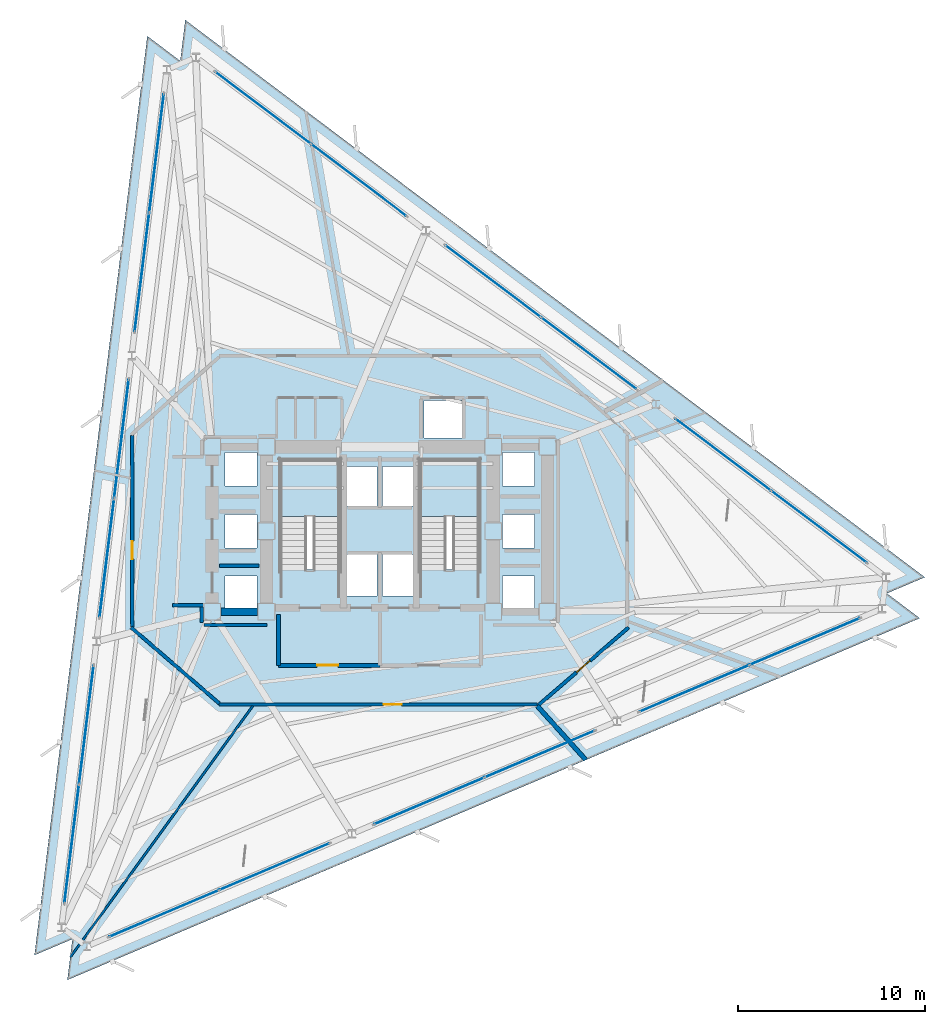
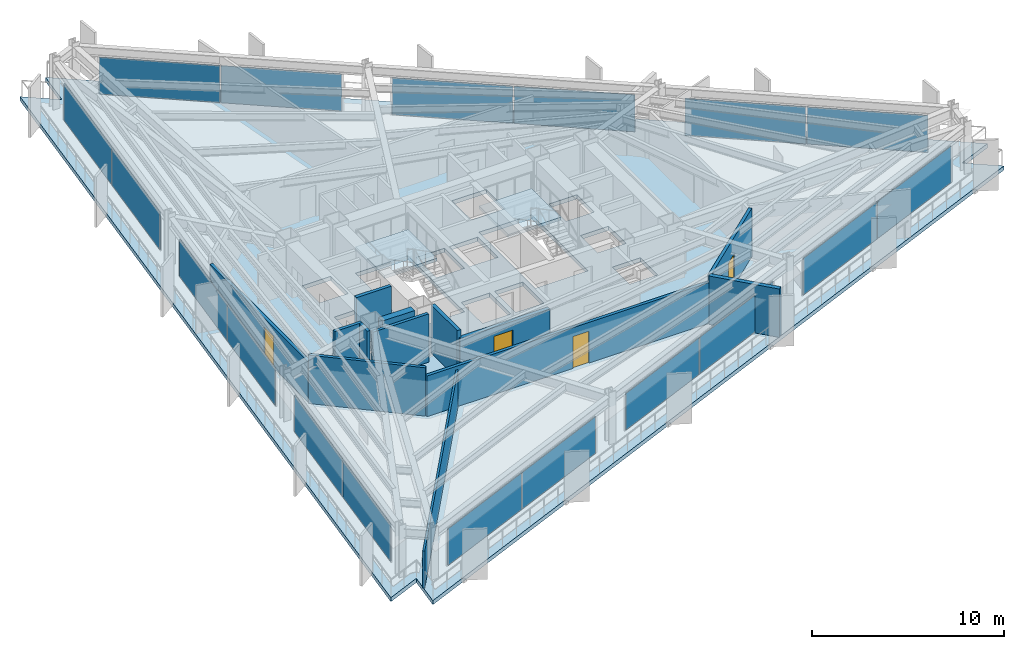
# One storey, part 6 of 13: 18 plates, 13 walls, 4 doors, 3 slabs, 4 openings, 11 elements without a shape of their own.
"""IFC4 building model written with IfcOpenShell, lengths in metres."""

from ifc_helpers import new_model, si_unit, direction, frame, frame_2d, origin, origin_2d, place, context, subcontext, project, spatial, polyline, rectangle, outline, extrude, material, layer, layer_set, type_object, element, fill, aggregate, save


model = new_model("IFC4")

# Units and contexts
model_context = context("Model", 3, precision=1e-05, world=origin(), true_north=direction((0.0, 1.0)))
body_context = subcontext(model_context, "Body", "Model", "MODEL_VIEW")
ifc_project = project(units=[si_unit("LENGTHUNIT", "METRE"), si_unit("AREAUNIT", "SQUARE_METRE"), si_unit("VOLUMEUNIT", "CUBIC_METRE"), si_unit("PLANEANGLEUNIT", "RADIAN"), si_unit("MASSUNIT", "GRAM", prefix="KILO")], contexts=[model_context])

# Site, building, storey
site_placement = place(None, origin())
site = spatial("IfcSite", under=ifc_project, at=site_placement, CompositionType="ELEMENT")
building_placement = place(site_placement, origin())
building = spatial("IfcBuilding", under=site, at=building_placement, Name="Rocaltana Carrier Exchange", CompositionType="ELEMENT")
storey_placement = place(building_placement, frame((0.0, 0.0, 69.760009765625)))
storey = spatial("IfcBuildingStorey", under=building, at=storey_placement, Name="L21", CompositionType="ELEMENT", Elevation=69.760009765625)

# Curtain wall, plates
ifc_material_1 = material(Name="Aluminium 6063-T6", Category="aluminium")
ifc_layer_1 = layer(ifc_material_1, 0.1650390625)
ifc_layer_set_1 = layer_set([ifc_layer_1], Name="Aluminium 6063-T6")
curtain_wall_type = type_object("IfcCurtainWallType", Name="Lower-Mid Stepped Curtain Wall CW-02", PredefinedType="NOTDEFINED", material=ifc_layer_set_1)
curtain_wall_1_placement = place(storey_placement, origin())
curtain_wall_1 = element("IfcCurtainWall", 1, at=curtain_wall_1_placement, inside=storey, type_object=curtain_wall_type, Name="L21 CW-02 Run CW-L21-F1S1", PredefinedType="NOTDEFINED")
ifc_material_2 = material(Name="Tempered Laminated Glass", Category="glass")
ifc_layer_2 = layer(ifc_material_2, 0.0419921875)
ifc_layer_set_2 = layer_set([ifc_layer_2], Name="Tempered Laminated Glass")
plate_type = type_object("IfcPlateType", Name="CW-02 Stone-Insulated Vision Panel", PredefinedType="CURTAIN_PANEL", material=ifc_layer_set_2)
plate_1_placement = place(storey_placement, frame((23.422607421875, 0.231201171875, 0.06494140625), z_axis=(0.0, 0.0, 1.0), x_axis=(-0.798641886792, 0.601806560833, 0.0)))
plate_1 = element("IfcPlate", 2, at=plate_1_placement, type_object=plate_type, Name="CW-02 panel 1.1", PredefinedType="CURTAIN_PANEL", context=body_context, shape_type="SweptSolid", body=[
    extrude(rectangle(XDim=6.335693359375, YDim=0.0419921875, at=origin_2d()), origin(), (0.0, 0.0, 1.0), 2.347900390625),
])
plate_2_placement = place(storey_placement, frame((18.310791015625, 4.083251953125, 0.06494140625), z_axis=(0.0, 0.0, 1.0), x_axis=(-0.798641886792, 0.601806560833, 0.0)))
plate_2 = element("IfcPlate", 3, at=plate_2_placement, type_object=plate_type, Name="CW-02 panel 2.1", PredefinedType="CURTAIN_PANEL", context=body_context, shape_type="SweptSolid", body=[
    extrude(rectangle(XDim=6.335693359375, YDim=0.0419921875, at=origin_2d()), origin(), (0.0, 0.0, 1.0), 2.347900390625),
])
aggregate(curtain_wall_1, [plate_1, plate_2])

curtain_wall_2_placement = place(storey_placement, origin())
curtain_wall_2 = element("IfcCurtainWall", 4, at=curtain_wall_2_placement, inside=storey, type_object=curtain_wall_type, Name="L21 CW-02 Run CW-L21-F1S2", PredefinedType="NOTDEFINED")
plate_3_placement = place(storey_placement, frame((11.150390625, 9.47900390625, 0.06494140625), z_axis=(0.0, 0.0, 1.0), x_axis=(-0.798635336443, 0.601815253533, 0.0)))
plate_3 = element("IfcPlate", 5, at=plate_3_placement, type_object=plate_type, Name="CW-02 panel 1.1", PredefinedType="CURTAIN_PANEL", context=body_context, shape_type="SweptSolid", body=[
    extrude(rectangle(XDim=6.335693359375, YDim=0.0419921875, at=origin_2d()), origin(), (0.0, 0.0, 1.0), 2.347900390625),
])
plate_4_placement = place(storey_placement, frame((6.038330078125, 13.3310546875, 0.06494140625), z_axis=(0.0, 0.0, 1.0), x_axis=(-0.798635336443, 0.601815253533, 0.0)))
plate_4 = element("IfcPlate", 6, at=plate_4_placement, type_object=plate_type, Name="CW-02 panel 2.1", PredefinedType="CURTAIN_PANEL", context=body_context, shape_type="SweptSolid", body=[
    extrude(rectangle(XDim=6.335693359375, YDim=0.0419921875, at=origin_2d()), origin(), (0.0, 0.0, 1.0), 2.347900390625),
])
aggregate(curtain_wall_2, [plate_3, plate_4])

curtain_wall_3_placement = place(storey_placement, origin())
curtain_wall_3 = element("IfcCurtainWall", 7, at=curtain_wall_3_placement, inside=storey, type_object=curtain_wall_type, Name="L21 CW-02 Run CW-L21-F1S3", PredefinedType="NOTDEFINED")
plate_5_placement = place(storey_placement, frame((-1.1220703125, 18.726806640625, 0.06494140625), z_axis=(0.0, 0.0, 1.0), x_axis=(-0.79863815132, 0.601811518049, 0.0)))
plate_5 = element("IfcPlate", 8, at=plate_5_placement, type_object=plate_type, Name="CW-02 panel 1.1", PredefinedType="CURTAIN_PANEL", context=body_context, shape_type="SweptSolid", body=[
    extrude(rectangle(XDim=6.3359375, YDim=0.0419921875, at=origin_2d()), origin(), (0.0, 0.0, 1.0), 2.347900390625),
])
plate_6_placement = place(storey_placement, frame((-6.23388671875, 22.5791015625, 0.06494140625), z_axis=(0.0, 0.0, 1.0), x_axis=(-0.79863815132, 0.601811518049, 0.0)))
plate_6 = element("IfcPlate", 9, at=plate_6_placement, type_object=plate_type, Name="CW-02 panel 2.1", PredefinedType="CURTAIN_PANEL", context=body_context, shape_type="SweptSolid", body=[
    extrude(rectangle(XDim=6.3359375, YDim=0.0419921875, at=origin_2d()), origin(), (0.0, 0.0, 1.0), 2.347900390625),
])
aggregate(curtain_wall_3, [plate_5, plate_6])

curtain_wall_4_placement = place(storey_placement, origin())
curtain_wall_4 = element("IfcCurtainWall", 10, at=curtain_wall_4_placement, inside=storey, type_object=curtain_wall_type, Name="L21 CW-02 Run CW-L21-F2S1", PredefinedType="NOTDEFINED")
plate_7_placement = place(storey_placement, frame((-11.91162109375, 20.169189453125, 0.06494140625), z_axis=(0.0, 0.0, 1.0), x_axis=(-0.121872630343, -0.992545748051, 0.0)))
plate_7 = element("IfcPlate", 11, at=plate_7_placement, type_object=plate_type, Name="CW-02 panel 1.1", PredefinedType="CURTAIN_PANEL", context=body_context, shape_type="SweptSolid", body=[
    extrude(rectangle(XDim=6.3359375, YDim=0.0419921875, at=origin_2d()), origin(), (0.0, 0.0, 1.0), 2.347900390625),
])
plate_8_placement = place(storey_placement, frame((-12.691650390625, 13.81591796875, 0.06494140625), z_axis=(0.0, 0.0, 1.0), x_axis=(-0.121872630343, -0.992545748051, 0.0)))
plate_8 = element("IfcPlate", 12, at=plate_8_placement, type_object=plate_type, Name="CW-02 panel 2.1", PredefinedType="CURTAIN_PANEL", context=body_context, shape_type="SweptSolid", body=[
    extrude(rectangle(XDim=6.3359375, YDim=0.0419921875, at=origin_2d()), origin(), (0.0, 0.0, 1.0), 2.347900390625),
])
aggregate(curtain_wall_4, [plate_7, plate_8])

curtain_wall_5_placement = place(storey_placement, origin())
curtain_wall_5 = element("IfcCurtainWall", 13, at=curtain_wall_5_placement, inside=storey, type_object=curtain_wall_type, Name="L21 CW-02 Run CW-L21-F2S2", PredefinedType="NOTDEFINED")
plate_9_placement = place(storey_placement, frame((-13.7841796875, 4.9169921875, 0.06494140625), z_axis=(0.0, 0.0, 1.0), x_axis=(-0.121873570472, -0.992545632614, 0.0)))
plate_9 = element("IfcPlate", 14, at=plate_9_placement, type_object=plate_type, Name="CW-02 panel 1.1", PredefinedType="CURTAIN_PANEL", context=body_context, shape_type="SweptSolid", body=[
    extrude(rectangle(XDim=6.335693359375, YDim=0.0419921875, at=origin_2d()), origin(), (0.0, 0.0, 1.0), 2.347900390625),
])
plate_10_placement = place(storey_placement, frame((-14.564208984375, -1.436279296875, 0.06494140625), z_axis=(0.0, 0.0, 1.0), x_axis=(-0.121873570472, -0.992545632614, 0.0)))
plate_10 = element("IfcPlate", 15, at=plate_10_placement, type_object=plate_type, Name="CW-02 panel 2.1", PredefinedType="CURTAIN_PANEL", context=body_context, shape_type="SweptSolid", body=[
    extrude(rectangle(XDim=6.335693359375, YDim=0.0419921875, at=origin_2d()), origin(), (0.0, 0.0, 1.0), 2.347900390625),
])
aggregate(curtain_wall_5, [plate_9, plate_10])

curtain_wall_6_placement = place(storey_placement, origin())
curtain_wall_6 = element("IfcCurtainWall", 16, at=curtain_wall_6_placement, inside=storey, type_object=curtain_wall_type, Name="L21 CW-02 Run CW-L21-F2S3", PredefinedType="NOTDEFINED")
plate_11_placement = place(storey_placement, frame((-15.656982421875, -10.335205078125, 0.06494140625), z_axis=(0.0, 0.0, 1.0), x_axis=(-0.121881227076, -0.992544692438, 0.0)))
plate_11 = element("IfcPlate", 17, at=plate_11_placement, type_object=plate_type, Name="CW-02 panel 1.1", PredefinedType="CURTAIN_PANEL", context=body_context, shape_type="SweptSolid", body=[
    extrude(rectangle(XDim=6.335693359375, YDim=0.0419921875, at=origin_2d()), origin(), (0.0, 0.0, 1.0), 2.347900390625),
])
plate_12_placement = place(storey_placement, frame((-16.43701171875, -16.688232421875, 0.06494140625), z_axis=(0.0, 0.0, 1.0), x_axis=(-0.121881227076, -0.992544692438, 0.0)))
plate_12 = element("IfcPlate", 18, at=plate_12_placement, type_object=plate_type, Name="CW-02 panel 2.1", PredefinedType="CURTAIN_PANEL", context=body_context, shape_type="SweptSolid", body=[
    extrude(rectangle(XDim=6.335693359375, YDim=0.0419921875, at=origin_2d()), origin(), (0.0, 0.0, 1.0), 2.347900390625),
])
aggregate(curtain_wall_6, [plate_11, plate_12])

curtain_wall_7_placement = place(storey_placement, origin())
curtain_wall_7 = element("IfcCurtainWall", 19, at=curtain_wall_7_placement, inside=storey, type_object=curtain_wall_type, Name="L21 CW-02 Run CW-L21-F3S1", PredefinedType="NOTDEFINED")
plate_13_placement = place(storey_placement, frame((-11.51123046875, -20.400146484375, 0.06494140625), z_axis=(0.0, 0.0, 1.0), x_axis=(0.920505895435, 0.390728673724, 0.0)))
plate_13 = element("IfcPlate", 20, at=plate_13_placement, type_object=plate_type, Name="CW-02 panel 1.1", PredefinedType="CURTAIN_PANEL", context=body_context, shape_type="SweptSolid", body=[
    extrude(rectangle(XDim=6.3359375, YDim=0.0419921875, at=origin_2d()), origin(), (0.0, 0.0, 1.0), 2.347900390625),
])
plate_14_placement = place(storey_placement, frame((-5.619140625, -17.899169921875, 0.06494140625), z_axis=(0.0, 0.0, 1.0), x_axis=(0.920505895435, 0.390728673724, 0.0)))
plate_14 = element("IfcPlate", 21, at=plate_14_placement, type_object=plate_type, Name="CW-02 panel 2.1", PredefinedType="CURTAIN_PANEL", context=body_context, shape_type="SweptSolid", body=[
    extrude(rectangle(XDim=6.3359375, YDim=0.0419921875, at=origin_2d()), origin(), (0.0, 0.0, 1.0), 2.347900390625),
])
aggregate(curtain_wall_7, [plate_13, plate_14])

curtain_wall_8_placement = place(storey_placement, origin())
curtain_wall_8 = element("IfcCurtainWall", 22, at=curtain_wall_8_placement, inside=storey, type_object=curtain_wall_type, Name="L21 CW-02 Run CW-L21-F3S2", PredefinedType="NOTDEFINED")
plate_15_placement = place(storey_placement, frame((2.634033203125, -14.39599609375, 0.06494140625), z_axis=(0.0, 0.0, 1.0), x_axis=(0.920505895435, 0.390728673724, 0.0)))
plate_15 = element("IfcPlate", 23, at=plate_15_placement, type_object=plate_type, Name="CW-02 panel 1.1", PredefinedType="CURTAIN_PANEL", context=body_context, shape_type="SweptSolid", body=[
    extrude(rectangle(XDim=6.3359375, YDim=0.0419921875, at=origin_2d()), origin(), (0.0, 0.0, 1.0), 2.347900390625),
])
plate_16_placement = place(storey_placement, frame((8.52587890625, -11.89501953125, 0.06494140625), z_axis=(0.0, 0.0, 1.0), x_axis=(0.920505895435, 0.390728673724, 0.0)))
plate_16 = element("IfcPlate", 24, at=plate_16_placement, type_object=plate_type, Name="CW-02 panel 2.1", PredefinedType="CURTAIN_PANEL", context=body_context, shape_type="SweptSolid", body=[
    extrude(rectangle(XDim=6.3359375, YDim=0.0419921875, at=origin_2d()), origin(), (0.0, 0.0, 1.0), 2.347900390625),
])
aggregate(curtain_wall_8, [plate_15, plate_16])

curtain_wall_9_placement = place(storey_placement, origin())
curtain_wall_9 = element("IfcCurtainWall", 25, at=curtain_wall_9_placement, inside=storey, type_object=curtain_wall_type, Name="L21 CW-02 Run CW-L21-F3S3", PredefinedType="NOTDEFINED")
plate_17_placement = place(storey_placement, frame((16.779052734375, -8.391845703125, 0.06494140625), z_axis=(0.0, 0.0, 1.0), x_axis=(0.920503100084, 0.390735259141, 0.0)))
plate_17 = element("IfcPlate", 26, at=plate_17_placement, type_object=plate_type, Name="CW-02 panel 1.1", PredefinedType="CURTAIN_PANEL", context=body_context, shape_type="SweptSolid", body=[
    extrude(rectangle(XDim=6.3359375, YDim=0.0419921875, at=origin_2d()), origin(), (0.0, 0.0, 1.0), 2.347900390625),
])
plate_18_placement = place(storey_placement, frame((22.671142578125, -5.890625, 0.06494140625), z_axis=(0.0, 0.0, 1.0), x_axis=(0.920503100084, 0.390735259141, 0.0)))
plate_18 = element("IfcPlate", 27, at=plate_18_placement, type_object=plate_type, Name="CW-02 panel 2.1", PredefinedType="CURTAIN_PANEL", context=body_context, shape_type="SweptSolid", body=[
    extrude(rectangle(XDim=6.3359375, YDim=0.0419921875, at=origin_2d()), origin(), (0.0, 0.0, 1.0), 2.347900390625),
])
aggregate(curtain_wall_9, [plate_17, plate_18])

# Slab
ifc_material_3 = material(Name="Concrete C60/75", Category="concrete")
ifc_layer_3 = layer(ifc_material_3, 0.260009765625)
ifc_layer_set_3 = layer_set([ifc_layer_3], Name="Concrete C60/75")
slab_type_1 = type_object("IfcSlabType", Name="Low-Zone Tower Slab 260", PredefinedType="FLOOR", material=ifc_layer_set_3)
slab_1_placement = place(storey_placement, frame((0.0, 0.0, -0.260009765625)))
element("IfcSlab", 28, at=slab_1_placement, inside=storey, type_object=slab_type_1, Name="L21 Structural Floor Slab", PredefinedType="FLOOR", context=body_context, shape_type="SweptSolid", body=[
    extrude(outline(polyline([(28.8046875, -4.64501953125), (27.0478515625, -3.321044921875), (29.072998046875, -2.46142578125), (-10.379638671875, 27.268310546875), (-10.647705078125, 25.084716796875), (-12.40478515625, 26.40869140625), (-18.425048828125, -22.623291015625), (-16.39990234375, -21.763671875), (-16.668212890625, -23.947265625), (28.8046875, -4.64501953125)]), holes=[polyline([(-5.300048828125, -2.06005859375), (-2.139892578125, -2.06005859375), (-2.139892578125, 3.800048828125), (-5.300048828125, 3.800048828125), (-5.300048828125, -2.06005859375)]), polyline([(2.139892578125, -2.06005859375), (5.300048828125, -2.06005859375), (5.300048828125, 3.800048828125), (2.139892578125, 3.800048828125), (2.139892578125, -2.06005859375)]), polyline([(-1.85009765625, -3.449951171875), (-0.14990234375, -3.449951171875), (-0.14990234375, -1.25), (-1.85009765625, -1.25), (-1.85009765625, -3.449951171875)]), polyline([(0.14990234375, -3.449951171875), (1.85009765625, -3.449951171875), (1.85009765625, -1.25), (0.14990234375, -1.25), (0.14990234375, -3.449951171875)]), polyline([(2.35009765625, 4.97998046875), (4.39990234375, 4.97998046875), (4.39990234375, 6.97998046875), (2.35009765625, 6.97998046875), (2.35009765625, 4.97998046875)]), polyline([(-1.85009765625, 1.35009765625), (-0.14990234375, 1.35009765625), (-0.14990234375, 3.449951171875), (-1.85009765625, 3.449951171875), (-1.85009765625, 1.35009765625)]), polyline([(0.14990234375, 1.35009765625), (1.85009765625, 1.35009765625), (1.85009765625, 3.449951171875), (0.14990234375, 3.449951171875), (0.14990234375, 1.35009765625)]), polyline([(-8.25, -4.199951171875), (-6.550048828125, -4.199951171875), (-6.550048828125, -2.39990234375), (-8.25, -2.39990234375), (-8.25, -4.199951171875)]), polyline([(-8.25, -0.89990234375), (-6.550048828125, -0.89990234375), (-6.550048828125, 0.89990234375), (-8.25, 0.89990234375), (-8.25, -0.89990234375)]), polyline([(-8.25, 2.39990234375), (-6.550048828125, 2.39990234375), (-6.550048828125, 4.199951171875), (-8.25, 4.199951171875), (-8.25, 2.39990234375)]), polyline([(6.550048828125, -4.199951171875), (8.25, -4.199951171875), (8.25, -2.39990234375), (6.550048828125, -2.39990234375), (6.550048828125, -4.199951171875)]), polyline([(6.550048828125, -0.89990234375), (8.25, -0.89990234375), (8.25, 0.89990234375), (6.550048828125, 0.89990234375), (6.550048828125, -0.89990234375)]), polyline([(6.550048828125, 2.39990234375), (8.25, 2.39990234375), (8.25, 4.199951171875), (6.550048828125, 4.199951171875), (6.550048828125, 2.39990234375)])]), origin(), (0.0, 0.0, 1.0), 0.260009765625),
])

# Stair, slab
ifc_material_4 = material(Name="Precast concrete C45/55", Category="concrete")
stair_type = type_object("IfcStairType", Name="Standard Dog-Leg Stair 160", PredefinedType="HALF_TURN_STAIR", material=ifc_material_4)
stair_1_placement = place(storey_placement, origin())
stair_1 = element("IfcStair", 29, at=stair_1_placement, inside=storey, type_object=stair_type, Name="L21 Core West Exit Stair ST-1", PredefinedType="HALF_TURN_STAIR")
ifc_material_5 = material(Name="Precast concrete C45/55", Category="concrete")
ifc_layer_4 = layer(ifc_material_5, 0.199951171875)
ifc_layer_set_4 = layer_set([ifc_layer_4], Name="Precast concrete C45/55")
slab_type_2 = type_object("IfcSlabType", Name="Precast Stair Half-Landing 200", PredefinedType="LANDING", material=ifc_layer_set_4)
slab_2_placement = place(storey_placement, frame((0.0, 0.0, 1.47998046875)))
slab_2 = element("IfcSlab", 30, at=slab_2_placement, type_object=slab_type_2, Name="ST-1 landing 1", PredefinedType="LANDING", context=body_context, shape_type="SweptSolid", body=[
    extrude(outline(polyline([(-2.139892578125, 0.780029296875), (-2.139892578125, 3.800048828125), (-5.300048828125, 3.800048828125), (-5.300048828125, 0.780029296875), (-2.139892578125, 0.780029296875)])), origin(), (0.0, 0.0, 1.0), 0.199951171875),
])
aggregate(stair_1, [slab_2])

stair_2_placement = place(storey_placement, origin())
stair_2 = element("IfcStair", 31, at=stair_2_placement, inside=storey, type_object=stair_type, Name="L21 Core East Exit Stair ST-2", PredefinedType="HALF_TURN_STAIR")
slab_3_placement = place(storey_placement, frame((0.0, 0.0, 1.47998046875)))
slab_3 = element("IfcSlab", 32, at=slab_3_placement, type_object=slab_type_2, Name="ST-2 landing 1", PredefinedType="LANDING", context=body_context, shape_type="SweptSolid", body=[
    extrude(outline(polyline([(5.300048828125, 0.780029296875), (5.300048828125, 3.800048828125), (2.139892578125, 3.800048828125), (2.139892578125, 0.780029296875), (5.300048828125, 0.780029296875)])), origin(), (0.0, 0.0, 1.0), 0.199951171875),
])
aggregate(stair_2, [slab_3])

# Wall
ifc_material_6 = material(Name="Concrete C50/60", Category="concrete")
ifc_layer_5 = layer(ifc_material_6, 0.39990234375)
ifc_layer_set_5 = layer_set([ifc_layer_5], Name="Concrete C50/60")
wall_type_1 = type_object("IfcWallType", Name="Core Internal Shear Wall 400", PredefinedType="SHEAR", material=ifc_layer_set_5)
wall_1_placement = place(storey_placement, frame((-8.47509765625, -4.300048828125, 0.0), z_axis=(0.0, 0.0, 1.0), x_axis=(1.0, 0.0, 0.0)))
element("IfcWall", 33, at=wall_1_placement, inside=storey, type_object=wall_type_1, Name="L21 Core Shear Wall CW-WWS", PredefinedType="SHEAR", context=body_context, shape_type="SweptSolid", body=[
    extrude(rectangle(XDim=1.9501953125, YDim=0.39990234375, at=frame_2d((0.97509765625, 0.0))), origin(), (0.0, 0.0, 1.0), 3.097900390625),
])

# Wall, opening, door
ifc_material_7 = material(Name="Gypsum & Steel Stud Partition", Category="steel")
ifc_layer_6 = layer(ifc_material_7, 0.179931640625)
ifc_layer_set_6 = layer_set([ifc_layer_6], Name="Gypsum & Steel Stud Partition")
wall_type_2 = type_object("IfcWallType", Name="Corridor Fire Partition 180 EI60", PredefinedType="PARTITIONING", material=ifc_layer_set_6)
wall_2_placement = place(storey_placement, frame((13.268310546875, -5.14111328125, 0.0), z_axis=(0.0, 0.0, 1.0), x_axis=(-0.757534501725, -0.65279512766, 0.0)))
wall_2 = element("IfcWall", 34, at=wall_2_placement, inside=storey, type_object=wall_type_2, Name="L21 Corridor Partition 4", PredefinedType="PARTITIONING", context=body_context, shape_type="SweptSolid", body=[
    extrude(rectangle(XDim=6.384521484375, YDim=0.179931640625, at=frame_2d((3.1923828125, 0.0))), origin(), (0.0, 0.0, 1.0), 3.072998046875),
])
opening_1_placement = place(wall_2_placement, frame((2.712158203125, 0.0, 0.0)))
opening_1 = element("IfcOpeningElement", 35, at=opening_1_placement, cuts=wall_2, Name="Opening D-RM098", PredefinedType="OPENING", context=body_context, shape_type="SweptSolid", body=[
    extrude(rectangle(XDim=0.9599609375, YDim=2.02001953125, at=frame_2d((0.47998046875, 1.010009765625))), frame((0.0, 0.099853515625, 0.0), z_axis=(0.0, -1.0, 0.0), x_axis=(1.0, 0.0, 0.0)), (0.0, 0.0, 1.0), 0.199951171875),
])
ifc_material_8 = material(Name="Engineered Hardwood Timber", Category="wood")
door_type_1 = type_object("IfcDoorType", Name="Workspace Single Door 960x2020", OperationType="NOTDEFINED", PredefinedType="DOOR", material=ifc_material_8)
door_1_placement = place(opening_1_placement, origin())
door_1 = element("IfcDoor", 36, at=door_1_placement, inside=storey, type_object=door_type_1, Name="L21 Cloud Architecture Office Entrance Door", OperationType="SINGLE_SWING_RIGHT", OverallHeight=2.02001953125, OverallWidth=0.9599609375, PredefinedType="DOOR", context=body_context, shape_type="SweptSolid", body=[
    extrude(rectangle(XDim=0.9599609375, YDim=2.02001953125, at=frame_2d((0.47998046875, 1.010009765625))), frame((0.0, 0.02490234375, 0.0), z_axis=(0.0, -1.0, 0.0), x_axis=(1.0, 0.0, 0.0)), (0.0, 0.0, 1.0), 0.050048828125),
])
fill(opening_1, door_1)

wall_3_placement = place(storey_placement, frame((8.409912109375, -9.25, 0.0), z_axis=(0.0, 0.0, 1.0), x_axis=(-1.0, 0.0, 0.0)))
wall_3 = element("IfcWall", 37, at=wall_3_placement, inside=storey, type_object=wall_type_2, Name="L21 Corridor Partition 5", PredefinedType="PARTITIONING", context=body_context, shape_type="SweptSolid", body=[
    extrude(rectangle(XDim=17.0, YDim=0.179931640625, at=frame_2d((8.5, 0.0))), origin(), (0.0, 0.0, 1.0), 2.5869140625),
])
opening_2_placement = place(wall_3_placement, frame((7.252197265625, 0.0, 0.0)))
opening_2 = element("IfcOpeningElement", 38, at=opening_2_placement, cuts=wall_3, Name="Opening D-RM098", PredefinedType="OPENING", context=body_context, shape_type="SweptSolid", body=[
    extrude(rectangle(XDim=0.9599609375, YDim=2.02001953125, at=frame_2d((0.47998046875, 1.010009765625))), frame((0.0, 0.099853515625, 0.0), z_axis=(0.0, -1.0, 0.0), x_axis=(1.0, 0.0, 0.0)), (0.0, 0.0, 1.0), 0.199951171875),
])
door_2_placement = place(opening_2_placement, origin())
door_2 = element("IfcDoor", 39, at=door_2_placement, inside=storey, type_object=door_type_1, Name="L21 Network Operations Office Entrance Door", OperationType="SINGLE_SWING_LEFT", OverallHeight=2.02001953125, OverallWidth=0.9599609375, PredefinedType="DOOR", context=body_context, shape_type="SweptSolid", body=[
    extrude(rectangle(XDim=0.9599609375, YDim=2.02001953125, at=frame_2d((0.47998046875, 1.010009765625))), frame((0.0, 0.02490234375, 0.0), z_axis=(0.0, -1.0, 0.0), x_axis=(1.0, 0.0, 0.0)), (0.0, 0.0, 1.0), 0.050048828125),
])
fill(opening_2, door_2)

# Wall
wall_4_placement = place(storey_placement, frame((-8.568115234375, -9.191162109375, 0.0), z_axis=(0.0, 0.0, 1.0), x_axis=(-0.757556899173, 0.652769135694, 0.0)))
element("IfcWall", 40, at=wall_4_placement, inside=storey, type_object=wall_type_2, Name="L21 Corridor Partition 6", PredefinedType="PARTITIONING", context=body_context, shape_type="SweptSolid", body=[
    extrude(rectangle(XDim=6.204345703125, YDim=0.179931640625, at=frame_2d((3.10205078125, 0.0))), origin(), (0.0, 0.0, 1.0), 3.072998046875),
])

# Wall, opening, door
wall_5_placement = place(storey_placement, frame((-13.199951171875, -5.110107421875, 0.0), z_axis=(0.0, 0.0, 1.0), x_axis=(0.0, 1.0, 0.0)))
wall_5 = element("IfcWall", 41, at=wall_5_placement, inside=storey, type_object=wall_type_2, Name="L21 Corridor Partition 7", PredefinedType="PARTITIONING", context=body_context, shape_type="SweptSolid", body=[
    extrude(rectangle(XDim=10.22021484375, YDim=0.179931640625, at=frame_2d((5.110107421875, 0.0))), origin(), (0.0, 0.0, 1.0), 2.5869140625),
])
opening_3_placement = place(wall_5_placement, frame((3.61572265625, 0.0, 0.0)))
opening_3 = element("IfcOpeningElement", 42, at=opening_3_placement, cuts=wall_5, Name="Opening D-RM098", PredefinedType="OPENING", context=body_context, shape_type="SweptSolid", body=[
    extrude(rectangle(XDim=0.9599609375, YDim=2.02001953125, at=frame_2d((0.47998046875, 1.010009765625))), frame((0.0, 0.099853515625, 0.0), z_axis=(0.0, -1.0, 0.0), x_axis=(1.0, 0.0, 0.0)), (0.0, 0.0, 1.0), 0.199951171875),
])
door_3_placement = place(opening_3_placement, origin())
door_3 = element("IfcDoor", 43, at=door_3_placement, inside=storey, type_object=door_type_1, Name="L21 Cloud Architecture Office Entrance Door", OperationType="SINGLE_SWING_RIGHT", OverallHeight=2.02001953125, OverallWidth=0.9599609375, PredefinedType="DOOR", context=body_context, shape_type="SweptSolid", body=[
    extrude(rectangle(XDim=0.9599609375, YDim=2.02001953125, at=frame_2d((0.47998046875, 1.010009765625))), frame((0.0, 0.02490234375, 0.0), z_axis=(0.0, -1.0, 0.0), x_axis=(1.0, 0.0, 0.0)), (0.0, 0.0, 1.0), 0.050048828125),
])
fill(opening_3, door_3)

# Walls
wall_6_placement = place(storey_placement, frame((-11.070068359375, -3.9599609375, 0.0), z_axis=(0.0, 0.0, 1.0), x_axis=(1.0, 0.0, 0.0)))
element("IfcWall", 44, at=wall_6_placement, inside=storey, type_object=wall_type_2, Name="L21 Corridor Partition 11", PredefinedType="PARTITIONING", context=body_context, shape_type="SweptSolid", body=[
    extrude(rectangle(XDim=1.650146484375, YDim=0.179931640625, at=frame_2d((0.8251953125, 0.0))), origin(), (0.0, 0.0, 1.0), 3.072998046875),
])
wall_7_placement = place(storey_placement, frame((-9.510009765625, -4.050048828125, 0.0), z_axis=(0.0, 0.0, 1.0), x_axis=(0.0, -1.0, 0.0)))
element("IfcWall", 45, at=wall_7_placement, inside=storey, type_object=wall_type_2, Name="L21 Corridor Partition 12", PredefinedType="PARTITIONING", context=body_context, shape_type="SweptSolid", body=[
    extrude(rectangle(XDim=0.820068359375, YDim=0.179931640625, at=frame_2d((0.41015625, 0.0))), origin(), (0.0, 0.0, 1.0), 3.072998046875),
])
wall_8_placement = place(storey_placement, frame((-9.3701171875, -5.010009765625, 0.0), z_axis=(0.0, 0.0, 1.0), x_axis=(1.0, 0.0, 0.0)))
element("IfcWall", 46, at=wall_8_placement, inside=storey, type_object=wall_type_2, Name="L21 Corridor Partition 13", PredefinedType="PARTITIONING", context=body_context, shape_type="SweptSolid", body=[
    extrude(rectangle(XDim=3.340087890625, YDim=0.179931640625, at=frame_2d((1.669921875, 0.0))), origin(), (0.0, 0.0, 1.0), 3.072998046875),
])
ifc_material_9 = material(Name="Aluminium 6063-T6 & Acoustic Glass", Category="aluminium")
ifc_layer_7 = layer(ifc_material_9, 0.114990234375)
ifc_layer_set_7 = layer_set([ifc_layer_7], Name="Aluminium 6063-T6 & Acoustic Glass")
wall_type_3 = type_object("IfcWallType", Name="Demountable Glazed Lab Partition 115", PredefinedType="MOVABLE", material=ifc_layer_set_7)
wall_9_placement = place(storey_placement, frame((-6.778564453125, -9.330078125, 0.0), z_axis=(0.0, 0.0, 1.0), x_axis=(-0.587788360635, -0.809014736023, 0.0)))
element("IfcWall", 47, at=wall_9_placement, inside=storey, type_object=wall_type_3, Name="L21 Suite Divider Wall D1", PredefinedType="MOVABLE", context=body_context, shape_type="SweptSolid", body=[
    extrude(rectangle(XDim=16.551513671875, YDim=0.114990234375, at=frame_2d((8.27587890625, 0.0))), origin(), (0.0, 0.0, 1.0), 2.35791015625),
])
ifc_material_10 = material(Name="Autoclaved Aerated Concrete C30/37", Category="concrete")
ifc_layer_8 = layer(ifc_material_10, 0.219970703125)
ifc_layer_set_8 = layer_set([ifc_layer_8], Name="Autoclaved Aerated Concrete C30/37")
wall_type_4 = type_object("IfcWallType", Name="Firefighting Lobby Wall 220 EI120", PredefinedType="PARTITIONING", material=ifc_layer_set_8)
wall_10_placement = place(storey_placement, frame((-5.39990234375, -7.159912109375, 0.0), z_axis=(0.0, 0.0, 1.0), x_axis=(0.0, 1.0, 0.0)))
element("IfcWall", 48, at=wall_10_placement, inside=storey, type_object=wall_type_4, Name="L21 FFL Lobby 1 West Wall", PredefinedType="PARTITIONING", context=body_context, shape_type="SweptSolid", body=[
    extrude(rectangle(XDim=2.7099609375, YDim=0.219970703125, at=frame_2d((1.35498046875, 0.0))), origin(), (0.0, 0.0, 1.0), 3.072998046875),
])

# Wall, opening, door
wall_11_placement = place(storey_placement, frame((-5.39990234375, -7.159912109375, 0.0), z_axis=(0.0, 0.0, 1.0), x_axis=(1.0, 0.0, 0.0)))
wall_11 = element("IfcWall", 49, at=wall_11_placement, inside=storey, type_object=wall_type_4, Name="L21 FFL Lobby 1 South Wall", PredefinedType="PARTITIONING", context=body_context, shape_type="SweptSolid", body=[
    extrude(rectangle(XDim=5.39990234375, YDim=0.219970703125, at=frame_2d((2.699951171875, 0.0))), origin(), (0.0, 0.0, 1.0), 2.5869140625),
])
opening_4_placement = place(wall_11_placement, frame((2.050048828125, 0.0, 0.0)))
opening_4 = element("IfcOpeningElement", 50, at=opening_4_placement, cuts=wall_11, Name="Opening D-FF115", PredefinedType="OPENING", context=body_context, shape_type="SweptSolid", body=[
    extrude(rectangle(XDim=1.1201171875, YDim=2.02001953125, at=frame_2d((0.56005859375, 1.010009765625))), frame((0.0, 0.119873046875, 0.0), z_axis=(0.0, -1.0, 0.0), x_axis=(1.0, 0.0, 0.0)), (0.0, 0.0, 1.0), 0.239990234375),
])
ifc_material_11 = material(Name="Hollow Metal Fire Door Assembly", Category="steel")
door_type_2 = type_object("IfcDoorType", Name="Firefighting Lobby Door 1120x2020 FD60S", OperationType="NOTDEFINED", PredefinedType="DOOR", material=ifc_material_11)
door_4_placement = place(opening_4_placement, origin())
door_4 = element("IfcDoor", 51, at=door_4_placement, inside=storey, type_object=door_type_2, Name="L21 Firefighting Lift Lobby 1 Door", OperationType="SINGLE_SWING_RIGHT", OverallHeight=2.02001953125, OverallWidth=1.1201171875, PredefinedType="DOOR", context=body_context, shape_type="SweptSolid", body=[
    extrude(rectangle(XDim=1.1201171875, YDim=2.02001953125, at=frame_2d((0.56005859375, 1.010009765625))), frame((0.0, 0.02490234375, 0.0), z_axis=(0.0, -1.0, 0.0), x_axis=(1.0, 0.0, 0.0)), (0.0, 0.0, 1.0), 0.050048828125),
])
fill(opening_4, door_4)

# Walls
ifc_material_12 = material(Name="Acoustic Calcium Silicate Partition", Category="gypsum")
ifc_layer_9 = layer(ifc_material_12, 0.239990234375)
ifc_layer_set_9 = layer_set([ifc_layer_9], Name="Acoustic Calcium Silicate Partition")
wall_type_5 = type_object("IfcWallType", Name="Heavy Lab Partition 240 EI90", PredefinedType="PARTITIONING", material=ifc_layer_set_9)
wall_12_placement = place(storey_placement, frame((8.40087890625, -9.330078125, 0.0), z_axis=(0.0, 0.0, 1.0), x_axis=(0.669139425, -0.743136885043, 0.0)))
element("IfcWall", 52, at=wall_12_placement, inside=storey, type_object=wall_type_5, Name="L21 Suite Divider Wall D2", PredefinedType="PARTITIONING", context=body_context, shape_type="SweptSolid", body=[
    extrude(rectangle(XDim=3.860107421875, YDim=0.239990234375, at=frame_2d((1.93017578125, 0.0))), origin(), (0.0, 0.0, 1.0), 3.072998046875),
])
ifc_material_13 = material(Name="Reinforced Concrete Block C35/45", Category="concrete")
ifc_layer_10 = layer(ifc_material_13, 0.199951171875)
ifc_layer_set_10 = layer_set([ifc_layer_10], Name="Reinforced Concrete Block C35/45")
wall_type_6 = type_object("IfcWallType", Name="Lift Hoistway Enclosure Wall 200 EI120", PredefinedType="PARTITIONING", material=ifc_layer_set_10)
wall_13_placement = place(storey_placement, frame((-8.550048828125, -1.85009765625, 0.0), z_axis=(0.0, 0.0, 1.0), x_axis=(1.0, 0.0, 0.0)))
element("IfcWall", 53, at=wall_13_placement, inside=storey, type_object=wall_type_6, Name="L21 Low-Rise Shaft Divider 1", PredefinedType="PARTITIONING", context=body_context, shape_type="SweptSolid", body=[
    extrude(rectangle(XDim=2.10009765625, YDim=0.199951171875, at=frame_2d((1.050048828125, 0.0))), origin(), (0.0, 0.0, 1.0), 3.072998046875),
])

save(model, "model.ifc")
